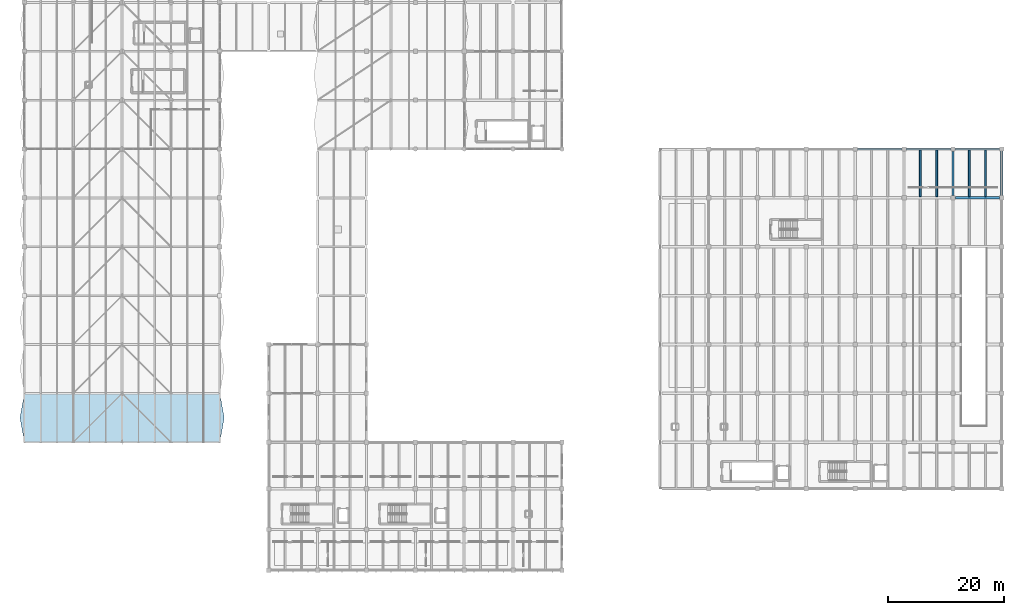
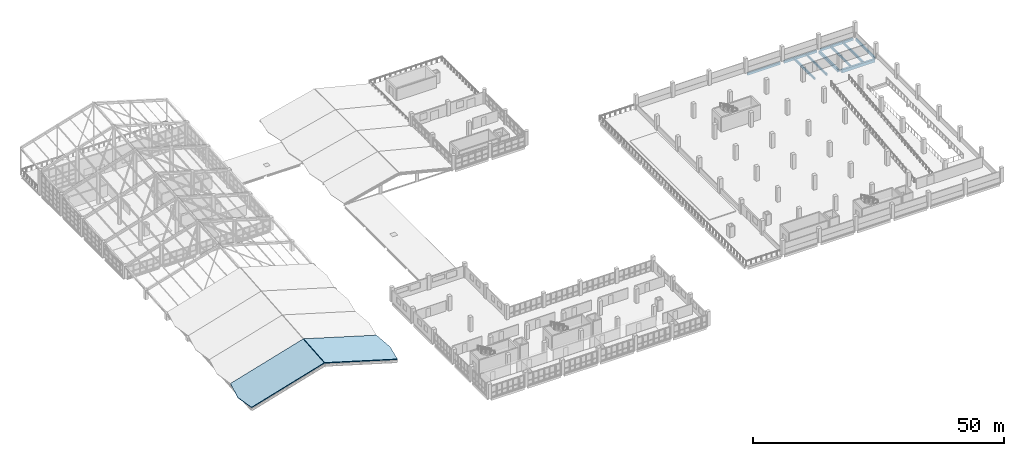
# One storey, part 63 of 95: 10 beams, 2 slabs.
"""IFC4 building model written with IfcOpenShell, lengths in metres."""

from ifc_helpers import new_model, si_unit, direction, frame, origin, origin_2d, place, context, subcontext, project, spatial, polyline, rectangle, outline, extrude, material, layer, layer_set, material_profile, profile_set, type_object, element, save


model = new_model("IFC4")

# Units and contexts
model_context = context("Model", 3, precision=1e-05, world=origin(), true_north=direction((0.0, 1.0)))
body_context = subcontext(model_context, "Body", "Model", "MODEL_VIEW")
ifc_project = project(units=[si_unit("LENGTHUNIT", "METRE"), si_unit("AREAUNIT", "SQUARE_METRE"), si_unit("VOLUMEUNIT", "CUBIC_METRE"), si_unit("PLANEANGLEUNIT", "RADIAN"), si_unit("MASSUNIT", "GRAM", prefix="KILO"), si_unit("THERMODYNAMICTEMPERATUREUNIT", "KELVIN"), si_unit("POWERUNIT", "WATT")], contexts=[model_context])

# Site, building, storey
site_placement = place(None, origin())
site = spatial("IfcSite", under=ifc_project, at=site_placement, CompositionType="ELEMENT")
building_placement = place(site_placement, origin())
building = spatial("IfcBuilding", under=site, at=building_placement, Name="Mavoryth Pier Ferry Terminal", CompositionType="ELEMENT")
storey_placement = place(building_placement, frame((0.0, 0.0, 9.60009765625)))
storey = spatial("IfcBuildingStorey", under=building, at=storey_placement, Name="L02", CompositionType="ELEMENT", Elevation=9.60009765625)

# Beams
ifc_material = material(Name="Concrete C35/45", Category="concrete")
ifc_material_profile_1 = material_profile(ifc_material, rectangle(XDim=0.39990234375, YDim=0.699951171875, at=origin_2d()), Name="RC 400x700", Category="concrete")
ifc_profile_set_1 = profile_set([ifc_material_profile_1], Name="Concrete C35/45 - RC 400x700")
beam_type_1 = type_object("IfcBeamType", Name="Girder-RC-400x700", PredefinedType="BEAM", material=ifc_profile_set_1)
beam_1_placement = place(storey_placement, frame((159.60009765625, 64.39990234375, -0.650146484375), z_axis=(0.0, 1.0, 0.0), x_axis=(-1.0, 0.0, 0.0)))
element("IfcBeam", 1, at=beam_1_placement, inside=storey, type_object=beam_type_1, Name="Beam B02-BG04-0859", PredefinedType="BEAM", context=body_context, shape_type="SweptSolid", body=[
    extrude(rectangle(XDim=0.39990234375, YDim=0.699951171875, at=origin_2d()), origin(), (0.0, 0.0, 1.0), 7.60009765625),
])
ifc_material_profile_2 = material_profile(ifc_material, rectangle(XDim=0.449951171875, YDim=0.75, at=origin_2d()), Name="RC 450x750", Category="concrete")
ifc_profile_set_2 = profile_set([ifc_material_profile_2], Name="Concrete C35/45 - RC 450x750")
beam_type_2 = type_object("IfcBeamType", Name="Girder-RC-450x750", PredefinedType="BEAM", material=ifc_profile_set_2)
beam_2_placement = place(storey_placement, frame((160.0, 64.0, -0.675048828125), z_axis=(1.0, 0.0, 0.0), x_axis=(0.0, 1.0, 0.0)))
element("IfcBeam", 2, at=beam_2_placement, inside=storey, type_object=beam_type_2, Name="Beam B02-BG02-0803", PredefinedType="BEAM", context=body_context, shape_type="SweptSolid", body=[
    extrude(rectangle(XDim=0.449951171875, YDim=0.75, at=origin_2d()), origin(), (0.0, 0.0, 1.0), 7.60009765625),
])
ifc_material_profile_3 = material_profile(ifc_material, rectangle(XDim=0.300048828125, YDim=0.5, at=origin_2d()), Name="RC 300x500", Category="concrete")
ifc_profile_set_3 = profile_set([ifc_material_profile_3], Name="Concrete C35/45 - RC 300x500")
beam_type_3 = type_object("IfcBeamType", Name="Joist-RC-300x500", PredefinedType="JOIST", material=ifc_profile_set_3)
for number, where, z_axis, x_axis, name in (
    (3, (154.0, 64.22509765625, -0.550048828125), (0.0, 1.0, 0.0), (-1.0, 0.0, 0.0), "Beam B02-BJ01-0943"),
    (4, (156.800048828125, 64.22509765625, -0.550048828125), (0.0, 1.0, 0.0), (-1.0, 0.0, 0.0), "Beam B02-BJ01-0944"),
    (5, (162.39990234375, 64.22509765625, -0.550048828125), (0.0, 1.0, 0.0), (-1.0, 0.0, 0.0), "Beam B02-BJ01-0949"),
    (6, (165.199951171875, 64.22509765625, -0.550048828125), (0.0, 1.0, 0.0), (-1.0, 0.0, 0.0), "Beam B02-BJ01-0950"),
):
    element("IfcBeam", number, at=place(storey_placement, frame(where, z_axis=z_axis, x_axis=x_axis)), inside=storey, type_object=beam_type_3, Name=name, PredefinedType="JOIST", context=body_context, shape_type="SweptSolid", body=[
        extrude(rectangle(XDim=0.300048828125, YDim=0.5, at=origin_2d()), origin(), (0.0, 0.0, 1.0), 8.014892578125),
    ])
ifc_material_profile_4 = material_profile(ifc_material, rectangle(XDim=0.320068359375, YDim=0.56005859375, at=origin_2d()), Name="RC 320x560", Category="concrete")
ifc_profile_set_4 = profile_set([ifc_material_profile_4], Name="Concrete C35/45 - RC 320x560")
beam_type_4 = type_object("IfcBeamType", Name="Spandrel-RC-320x560", PredefinedType="SPANDREL", material=ifc_profile_set_4)
beam_3_placement = place(storey_placement, frame((143.199951171875, 72.39990234375, -0.580078125), z_axis=(1.0, 0.0, 0.0), x_axis=(0.0, 1.0, 0.0)))
element("IfcBeam", 7, at=beam_3_placement, inside=storey, type_object=beam_type_4, Name="Beam B02-SP01-0808", PredefinedType="SPANDREL", context=body_context, shape_type="SweptSolid", body=[
    extrude(rectangle(XDim=0.320068359375, YDim=0.56005859375, at=origin_2d()), origin(), (0.0, 0.0, 1.0), 7.60009765625),
])
beam_4_placement = place(storey_placement, frame((151.60009765625, 72.39990234375, -0.580078125), z_axis=(1.0, 0.0, 0.0), x_axis=(0.0, 1.0, 0.0)))
element("IfcBeam", 8, at=beam_4_placement, inside=storey, type_object=beam_type_4, Name="Beam B02-SP01-0809", PredefinedType="SPANDREL", context=body_context, shape_type="SweptSolid", body=[
    extrude(rectangle(XDim=0.320068359375, YDim=0.56005859375, at=origin_2d()), origin(), (0.0, 0.0, 1.0), 7.599853515625),
])
for number, where, z_axis, x_axis, name in (
    (9, (160.0, 72.39990234375, -0.580078125), (1.0, 0.0, 0.0), (0.0, 1.0, 0.0), "Beam B02-SP01-0810"),
    (10, (168.0, 64.39990234375, -0.580078125), (0.0, 1.0, 0.0), (-1.0, 0.0, 0.0), "Beam B02-SP01-0866"),
):
    element("IfcBeam", number, at=place(storey_placement, frame(where, z_axis=z_axis, x_axis=x_axis)), inside=storey, type_object=beam_type_4, Name=name, PredefinedType="SPANDREL", context=body_context, shape_type="SweptSolid", body=[
        extrude(rectangle(XDim=0.320068359375, YDim=0.56005859375, at=origin_2d()), origin(), (0.0, 0.0, 1.0), 7.60009765625),
    ])

# Slabs
ifc_layer = layer(ifc_material, 0.219970703125, Name="Concrete C35/45", Category="concrete")
ifc_layer_set = layer_set([ifc_layer], Name="Concrete C35/45 - Slab-Roof-FoldedV1-220")
slab_type = type_object("IfcSlabType", Name="Slab-Roof-FoldedV1-220", PredefinedType="ROOF", material=ifc_layer_set)
slab_1_placement = place(storey_placement, frame((0.0, 22.0, -1.0), z_axis=(-0.284136616661, -0.081230792107, 0.955336559274), x_axis=(0.958504120231, -4.47387e-07, 0.285078675983)))
element("IfcSlab", 11, at=slab_1_placement, inside=storey, type_object=slab_type, Name="Departure Folded Roof West Bay 1", PredefinedType="ROOF", context=body_context, shape_type="SweptSolid", body=[
    extrude(outline(polyline([(0.0, 0.0), (17.456269538199425, 0.0), (17.659913291404493, 8.427763186507303), (0.2035741539189417, 8.42774417767526), (-0.6806699610922244, 4.213875075210738), (0.0, 0.0)])), origin(), (0.0, 0.0, -1.0), 0.219970703125),
])
slab_2_placement = place(storey_placement, frame((16.867919921875, 22.0, 3.976318359375), z_axis=(0.284132889046, -0.081230885702, 0.955337659977), x_axis=(0.958505232083, 4.54458e-07, -0.285074937638)))
element("IfcSlab", 12, at=slab_2_placement, inside=storey, type_object=slab_type, Name="Departure Folded Roof East Bay 1", PredefinedType="ROOF", context=body_context, shape_type="SweptSolid", body=[
    extrude(outline(polyline([(0.0, 0.0), (17.456503548506763, 0.0), (18.137174874248174, 4.213874854765146), (17.252932123577832, 8.42774424359422), (-0.20364102330237827, 8.427763252470703), (0.0, 0.0)])), origin(), (0.0, 0.0, -1.0), 0.219970703125),
])

save(model, "model.ifc")
